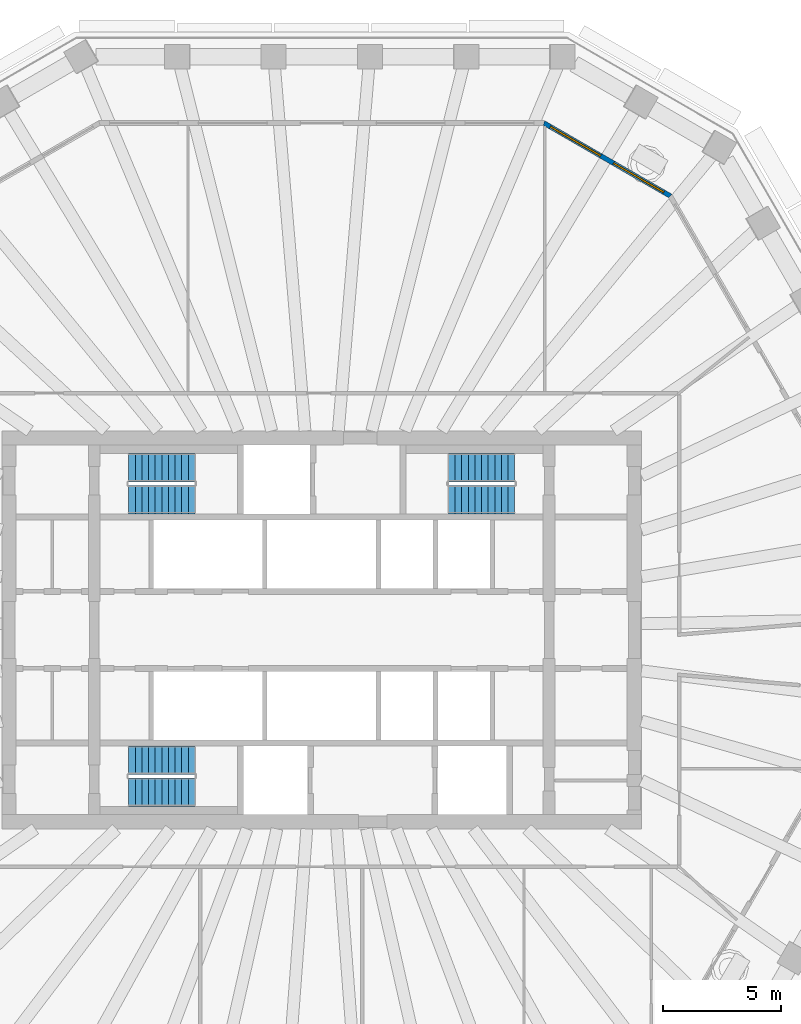
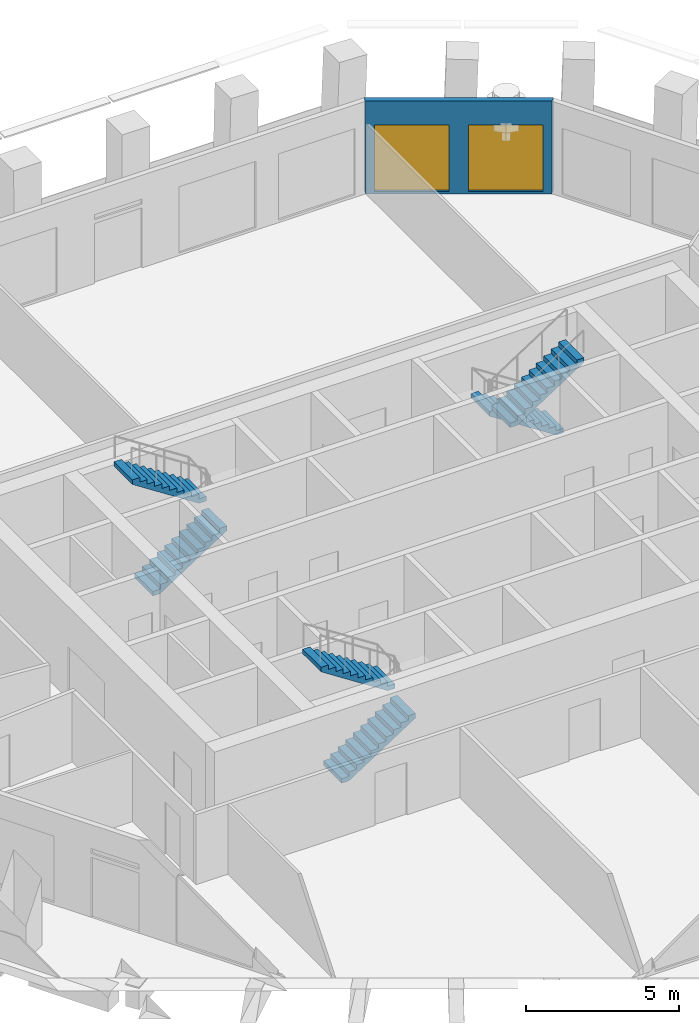
# One storey, part 8 of 12: 6 stair flights, 2 windows, 1 wall, 2 openings, 3 elements without a shape of their own.
"""IFC4 building model written with IfcOpenShell, lengths in metres."""

import ifcopenshell
import ifcopenshell.guid

model = None  # the IFC model being written
_history = None  # IfcOwnerHistory: only IFC2X3 demands one
_inside = {}  # id of a spatial element -> (the spatial element, [elements in it])
_under = {}  # id of a project, library or spatial element -> (it, [spatial elements below it])
_declared = {}  # id of a project -> (the project, [libraries it declares])
_typed = {}  # id of a type object -> (the type object, [elements of that type])
_made_of = {}  # id of a material, layer set ... -> (it, [elements and type objects made of it])


def new_model(schema):
    """Start an empty IFC model of exactly this schema.

    Asked for "IFC4X3", IfcOpenShell would pick the latest addendum, in which some entities
    have other attributes; the version numbers below select the first issue.
    IFC2X3 requires an IfcOwnerHistory on every rooted entity: one is made here for all.
    """
    global model, _history
    if schema == "IFC4X3":
        model = ifcopenshell.file(schema_version=(4, 3, 0, 0))
    else:
        model = ifcopenshell.file(schema=schema)
    _inside.clear()
    _under.clear()
    _declared.clear()
    _typed.clear()
    _made_of.clear()
    _history = None
    if model.schema == "IFC2X3":
        org = make("IfcOrganization", Name="unknown")
        user = make(
            "IfcPersonAndOrganization",
            ThePerson=make("IfcPerson", FamilyName="unknown"),
            TheOrganization=org,
        )
        app = make(
            "IfcApplication",
            ApplicationDeveloper=org,
            Version="unknown",
            ApplicationFullName="unknown",
            ApplicationIdentifier="unknown",
        )
        _history = make(
            "IfcOwnerHistory",
            OwningUser=user,
            OwningApplication=app,
            ChangeAction="ADDED",
            CreationDate=0,
        )
    return model


def make(cls, **values):
    """One entity of the class cls with the attributes given. An attribute that is None is left unset."""
    return model.create_entity(
        cls, **{name: value for name, value in values.items() if value is not None}
    )


def rooted(cls, **values):
    """An entity with a GlobalId (a new one), such as an element, a storey or a relation."""
    return make(cls, GlobalId=ifcopenshell.guid.new(), OwnerHistory=_history, **values)


def si_unit(unit_type, name, prefix=None):
    """IfcSIUnit, for example si_unit("LENGTHUNIT", "METRE", prefix="MILLI")."""
    return make("IfcSIUnit", UnitType=unit_type, Prefix=prefix, Name=name)


def assignment(units):
    """IfcUnitAssignment: the units of a project."""
    return None if units is None else make("IfcUnitAssignment", Units=units)


def point(xyz):
    """IfcCartesianPoint."""
    return None if xyz is None else make("IfcCartesianPoint", Coordinates=xyz)


def direction(xyz):
    """IfcDirection."""
    return None if xyz is None else make("IfcDirection", DirectionRatios=xyz)


def frame(location, z_axis=None, x_axis=None):
    """IfcAxis2Placement3D, a coordinate frame: its origin and axes. An axis left out is left unset."""
    return make(
        "IfcAxis2Placement3D",
        Location=point(location),
        Axis=direction(z_axis),
        RefDirection=direction(x_axis),
    )


def frame_2d(location, x_axis=None):
    """IfcAxis2Placement2D, a coordinate frame in the plane: its origin and x axis."""
    return make(
        "IfcAxis2Placement2D", Location=point(location), RefDirection=direction(x_axis)
    )


def origin():
    """The frame at (0, 0, 0) with its axes left unset."""
    return frame((0.0, 0.0, 0.0))


def place(relative_to, where):
    """IfcLocalPlacement: puts the frame where relative to a parent placement (None: the world)."""
    return make(
        "IfcLocalPlacement", PlacementRelTo=relative_to, RelativePlacement=where
    )


def context(
    kind, dimensions, precision=None, world=None, true_north=None, identifier=None
):
    """IfcGeometricRepresentationContext, for example the 3D "Model" context."""
    return make(
        "IfcGeometricRepresentationContext",
        ContextIdentifier=identifier,
        ContextType=kind,
        CoordinateSpaceDimension=dimensions,
        Precision=precision,
        WorldCoordinateSystem=world,
        TrueNorth=true_north,
    )


def subcontext(parent, identifier, kind, view, scale=None):
    """IfcGeometricRepresentationSubContext, for example "Body" below "Model"."""
    return make(
        "IfcGeometricRepresentationSubContext",
        ContextIdentifier=identifier,
        ContextType=kind,
        ParentContext=parent,
        TargetScale=scale,
        TargetView=view,
    )


def project(units=None, contexts=None):
    """IfcProject with its units and contexts."""
    return rooted(
        "IfcProject",
        Name="project",
        RepresentationContexts=contexts,
        UnitsInContext=assignment(units),
    )


def spatial(cls, under=None, at=None, **own):
    """A site, building, storey or space (cls), placed at a placement, below another one or the project."""
    s = rooted(cls, ObjectPlacement=at, **own)
    if under is not None:
        _under.setdefault(under.id(), (under, []))[1].append(s)
    return s


def polyline(points):
    """IfcPolyline through the points."""
    return make("IfcPolyline", Points=[point(p) for p in points])


def profile(cls, at=None, kind="AREA", **sizes):
    """A parametric profile (cls). Its sizes go by their IFC names, for example OverallWidth=200.0."""
    return make(cls, ProfileType=kind, Position=at, **sizes)


def rectangle(**sizes):
    """IfcRectangleProfileDef."""
    return profile("IfcRectangleProfileDef", **sizes)


def outline(outer, holes=None, kind="AREA"):
    """IfcArbitraryClosedProfileDef: a profile drawn as a closed curve; with holes, ...WithVoids."""
    if holes is None:
        return make("IfcArbitraryClosedProfileDef", ProfileType=kind, OuterCurve=outer)
    return make(
        "IfcArbitraryProfileDefWithVoids",
        ProfileType=kind,
        OuterCurve=outer,
        InnerCurves=holes,
    )


def extrude(swept, where, along, depth):
    """IfcExtrudedAreaSolid: the profile swept, set in the frame where, extruded along a direction by depth."""
    return make(
        "IfcExtrudedAreaSolid",
        SweptArea=swept,
        Position=where,
        ExtrudedDirection=direction(along),
        Depth=depth,
    )


def shape(context_of_items, identifier, shape_type, items):
    """IfcShapeRepresentation: the items that make up one representation, for example the "Body"."""
    return make(
        "IfcShapeRepresentation",
        ContextOfItems=context_of_items,
        RepresentationIdentifier=identifier,
        RepresentationType=shape_type,
        Items=items,
    )


def material(Name=None, Category=None):
    """IfcMaterial."""
    return make("IfcMaterial", Name=Name, Category=Category)


def layer(
    of_material, thickness, ventilated=None, Name=None, Category=None, Priority=None
):
    """IfcMaterialLayer: one layer of a wall or slab, of a material (None: an air gap)."""
    return make(
        "IfcMaterialLayer",
        Material=of_material,
        LayerThickness=thickness,
        IsVentilated=ventilated,
        Name=Name,
        Category=Category,
        Priority=Priority,
    )


def layer_set(layers, Name=None):
    """IfcMaterialLayerSet."""
    return make("IfcMaterialLayerSet", MaterialLayers=layers, LayerSetName=Name)


def made_of(thing, what):
    """Note that an element or type object is made of a material, layer set ...; save() writes the relation."""
    if what is not None:
        _made_of.setdefault(what.id(), (what, []))[1].append(thing)
    return thing


def type_object(cls, material=None, **own):
    """A type object (cls), such as IfcWallType, which elements share."""
    return made_of(rooted(cls, **own), material)


def element(
    cls,
    number,
    at=None,
    inside=None,
    cuts=None,
    type_object=None,
    material=None,
    context=None,
    identifier="Body",
    shape_type=None,
    held_by="IfcProductDefinitionShape",
    body=None,
    shapes=None,
    **own,
):
    """One element of the class cls, such as IfcWall. Its Tag is "e" and its number.

    at: its placement. inside: the storey or other place that contains it. cuts: it is an
    opening in that element (IfcRelVoidsElement). A single representation is given by context,
    identifier, shape_type and body (its items); several are given by shapes. held_by: the class
    of the entity that holds the representations. save() writes the other relations.
    """
    e = rooted(cls, Tag="e%d" % number, ObjectPlacement=at, **own)
    if body is not None:
        shapes = [shape(context, identifier, shape_type, body)]
    if shapes is not None:
        e.Representation = make(held_by, Representations=shapes)
    if inside is not None:
        _inside.setdefault(inside.id(), (inside, []))[1].append(e)
    if cuts is not None:
        rooted(
            "IfcRelVoidsElement", RelatingBuildingElement=cuts, RelatedOpeningElement=e
        )
    if type_object is not None:
        _typed.setdefault(type_object.id(), (type_object, []))[1].append(e)
    return made_of(e, material)


def fill(opening, filler):
    """IfcRelFillsElement: the door or window that sits in an opening."""
    return rooted(
        "IfcRelFillsElement",
        RelatingOpeningElement=opening,
        RelatedBuildingElement=filler,
    )


def aggregate(whole, parts):
    """IfcRelAggregates: a whole, such as a stair, and the parts it consists of."""
    return rooted("IfcRelAggregates", RelatingObject=whole, RelatedObjects=parts)


def save(model, path):
    """Write the relations noted so far, then the file.

    IfcRelAggregates (storeys below a building ...), IfcRelContainedInSpatialStructure (elements
    in a storey), IfcRelDefinesByType, IfcRelAssociatesMaterial and IfcRelDeclares: one each for
    every whole, place, type object, material and project.
    """
    for whole, parts in _under.values():
        aggregate(whole, parts)
    for where, things in _inside.values():
        rooted(
            "IfcRelContainedInSpatialStructure",
            RelatedElements=things,
            RelatingStructure=where,
        )
    for kind, things in _typed.values():
        rooted("IfcRelDefinesByType", RelatedObjects=things, RelatingType=kind)
    for what, things in _made_of.values():
        rooted("IfcRelAssociatesMaterial", RelatedObjects=things, RelatingMaterial=what)
    for by, libraries in _declared.values():
        rooted("IfcRelDeclares", RelatingContext=by, RelatedDefinitions=libraries)
    model.write(path)


model = new_model("IFC4")

# Units and contexts
model_context = context("Model", 3, precision=1e-05, world=origin(), true_north=direction((0.0, 1.0)))
body_context = subcontext(model_context, "Body", "Model", "MODEL_VIEW")
ifc_project = project(units=[si_unit("LENGTHUNIT", "METRE"), si_unit("AREAUNIT", "SQUARE_METRE"), si_unit("VOLUMEUNIT", "CUBIC_METRE"), si_unit("PLANEANGLEUNIT", "RADIAN"), si_unit("MASSUNIT", "GRAM", prefix="KILO")], contexts=[model_context])

# Site, building, storey
site_placement = place(None, origin())
site = spatial("IfcSite", under=ifc_project, at=site_placement, CompositionType="ELEMENT")
building_placement = place(site_placement, origin())
building = spatial("IfcBuilding", under=site, at=building_placement, Name="Frailejon Research Tower", CompositionType="ELEMENT")
storey_placement = place(building_placement, frame((0.0, 0.0, 227.39990234375)))
storey = spatial("IfcBuildingStorey", under=building, at=storey_placement, Name="L49", CompositionType="ELEMENT", Elevation=227.39990234375)

# Wall, openings, windows
ifc_material_1 = material(Name="Concrete C40/50 precast window wall panel", Category="concrete")
ifc_layer_1 = layer(ifc_material_1, 0.199951171875)
ifc_layer_set_1 = layer_set([ifc_layer_1], Name="Window wall 200")
wall_type = type_object("IfcWallType", Name="Window wall 200", PredefinedType="SOLIDWALL", material=ifc_layer_set_1)
wall_placement = place(storey_placement, frame((14.712158203125, 18.323486328125, 0.0), z_axis=(0.0, 0.0, 1.0), x_axis=(-0.866029647142, 0.499992650217, 0.0)))
wall = element("IfcWall", 1, at=wall_placement, inside=storey, type_object=wall_type, Name="Exterior wall L49", PredefinedType="SOLIDWALL", context=body_context, shape_type="SweptSolid", body=[
    extrude(outline(polyline([(-0.02685546875, -0.10009765625), (1.007568359375, -0.10009765625), (2.0419921875, -0.10009765625), (3.076416015625, -0.10009765625), (4.11083984375, -0.10009765625), (5.145263671875, -0.10009765625), (6.1796875, -0.10009765625), (6.1259765625, 0.10009765625), (5.109375, 0.10009765625), (4.093017578125, 0.10009765625), (3.076416015625, 0.10009765625), (2.059814453125, 0.10009765625), (1.04345703125, 0.10009765625), (0.02685546875, 0.10009765625), (-0.02685546875, -0.10009765625)])), origin(), (0.0, 0.0, 1.0), 3.7001953125),
])
opening_1_placement = place(wall_placement, frame((0.313232421875, 0.0, 0.10009765625)))
opening_1 = element("IfcOpeningElement", 2, at=opening_1_placement, cuts=wall, Name="Opening W17", PredefinedType="OPENING", context=body_context, shape_type="SweptSolid", body=[
    extrude(rectangle(XDim=2.449951171875, YDim=2.64990234375, at=frame_2d((1.22509765625, 1.324951171875))), frame((0.0, 0.10986328125, 0.0), z_axis=(0.0, -1.0, 0.0), x_axis=(1.0, 0.0, 0.0)), (0.0, 0.0, 1.0), 0.219970703125),
])
opening_2_placement = place(wall_placement, frame((3.3896484375, 0.0, 0.10009765625)))
opening_2 = element("IfcOpeningElement", 3, at=opening_2_placement, cuts=wall, Name="Opening W17", PredefinedType="OPENING", context=body_context, shape_type="SweptSolid", body=[
    extrude(rectangle(XDim=2.449951171875, YDim=2.64990234375, at=frame_2d((1.22509765625, 1.324951171875))), frame((0.0, 0.10986328125, 0.0), z_axis=(0.0, -1.0, 0.0), x_axis=(1.0, 0.0, 0.0)), (0.0, 0.0, 1.0), 0.219970703125),
])
ifc_material_2 = material(Name="Aluminium framed double glazing", Category="aluminium")
window_type = type_object("IfcWindowType", Name="Window 2450x2650", PartitioningType="SINGLE_PANEL", PredefinedType="WINDOW", material=ifc_material_2)
window_1_placement = place(opening_1_placement, origin())
window_1 = element("IfcWindow", 4, at=window_1_placement, inside=storey, type_object=window_type, Name="Window L49", OverallHeight=2.64990234375, OverallWidth=2.449951171875, PartitioningType="SINGLE_PANEL", PredefinedType="WINDOW", context=body_context, shape_type="SweptSolid", body=[
    extrude(rectangle(XDim=2.449951171875, YDim=2.64990234375, at=frame_2d((1.22509765625, 1.324951171875))), frame((0.0, 0.030029296875, 0.0), z_axis=(0.0, -1.0, 0.0), x_axis=(1.0, 0.0, 0.0)), (0.0, 0.0, 1.0), 0.06005859375),
])
fill(opening_1, window_1)
window_2_placement = place(opening_2_placement, origin())
window_2 = element("IfcWindow", 5, at=window_2_placement, inside=storey, type_object=window_type, Name="Window L49", OverallHeight=2.64990234375, OverallWidth=2.449951171875, PartitioningType="SINGLE_PANEL", PredefinedType="WINDOW", context=body_context, shape_type="SweptSolid", body=[
    extrude(rectangle(XDim=2.449951171875, YDim=2.64990234375, at=frame_2d((1.22509765625, 1.324951171875))), frame((0.0, 0.030029296875, 0.0), z_axis=(0.0, -1.0, 0.0), x_axis=(1.0, 0.0, 0.0)), (0.0, 0.0, 1.0), 0.06005859375),
])
fill(opening_2, window_2)

# Stair, stair flights
ifc_material_3 = material(Name="Concrete C50/60", Category="concrete")
stair_type = type_object("IfcStairType", Name="Exit stair 22 risers", PredefinedType="HALF_TURN_STAIR", material=ifc_material_3)
stair_1_placement = place(storey_placement, origin())
stair_1 = element("IfcStair", 6, at=stair_1_placement, inside=storey, type_object=stair_type, Name="L49 Exit stair ST1", PredefinedType="HALF_TURN_STAIR")
ifc_material_4 = material(Name="Concrete C50/60", Category="concrete")
ifc_layer_2 = layer(ifc_material_4, 0.14990234375)
ifc_layer_set_2 = layer_set([ifc_layer_2], Name="Stair flight 11 risers")
stair_flight_type = type_object("IfcStairFlightType", Name="Stair flight 11 risers", PredefinedType="STRAIGHT", material=ifc_layer_set_2)
stair_flight_1_placement = place(storey_placement, frame((-8.14990234375, 5.5, 0.0), z_axis=(0.0, 0.0, 1.0), x_axis=(1.0, 0.0, 0.0)))
stair_flight_1 = element("IfcStairFlight", 7, at=stair_flight_1_placement, type_object=stair_flight_type, Name="ST1 flight 1", NumberOfRisers=11, NumberOfTreads=10, PredefinedType="STRAIGHT", RiserHeight=0.181818182, TreadLength=0.28, context=body_context, shape_type="SweptSolid", body=[
    extrude(outline(polyline([(0.0, 0.0), (0.0, 0.181884765625), (0.280029296875, 0.181884765625), (0.280029296875, 0.363525390625), (0.56005859375, 0.363525390625), (0.56005859375, 0.54541015625), (0.840087890625, 0.54541015625), (0.840087890625, 0.727294921875), (1.1201171875, 0.727294921875), (1.1201171875, 0.9091796875), (1.39990234375, 0.9091796875), (1.39990234375, 1.0908203125), (1.679931640625, 1.0908203125), (1.679931640625, 1.272705078125), (1.9599609375, 1.272705078125), (1.9599609375, 1.45458984375), (2.239990234375, 1.45458984375), (2.239990234375, 1.636474609375), (2.52001953125, 1.636474609375), (2.52001953125, 1.818115234375), (2.800048828125, 1.818115234375), (2.800048828125, 2.0), (2.800048828125, 1.639404296875), (0.275146484375, 0.0), (0.0, 0.0)])), frame((0.0, 0.60009765625, 0.0), z_axis=(0.0, -1.0, 0.0), x_axis=(1.0, 0.0, 0.0)), (0.0, 0.0, 1.0), 1.199951171875),
])
stair_flight_2_placement = place(storey_placement, frame((-5.35009765625, 6.85009765625, 2.0), z_axis=(0.0, 0.0, 1.0), x_axis=(-1.0, 0.0, 0.0)))
stair_flight_2 = element("IfcStairFlight", 8, at=stair_flight_2_placement, type_object=stair_flight_type, Name="ST1 flight 2", NumberOfRisers=11, NumberOfTreads=10, PredefinedType="STRAIGHT", RiserHeight=0.181818182, TreadLength=0.28, context=body_context, shape_type="SweptSolid", body=[
    extrude(outline(polyline([(0.0, 0.0), (0.0, 0.181884765625), (0.280029296875, 0.181884765625), (0.280029296875, 0.363525390625), (0.56005859375, 0.363525390625), (0.56005859375, 0.54541015625), (0.840087890625, 0.54541015625), (0.840087890625, 0.727294921875), (1.1201171875, 0.727294921875), (1.1201171875, 0.9091796875), (1.39990234375, 0.9091796875), (1.39990234375, 1.0908203125), (1.679931640625, 1.0908203125), (1.679931640625, 1.272705078125), (1.9599609375, 1.272705078125), (1.9599609375, 1.45458984375), (2.239990234375, 1.45458984375), (2.239990234375, 1.636474609375), (2.52001953125, 1.636474609375), (2.52001953125, 1.818115234375), (2.800048828125, 1.818115234375), (2.800048828125, 2.0), (2.800048828125, 1.639404296875), (0.275146484375, 0.0), (0.0, 0.0)])), frame((0.0, 0.60009765625, 0.0), z_axis=(0.0, -1.0, 0.0), x_axis=(1.0, 0.0, 0.0)), (0.0, 0.0, 1.0), 1.199951171875),
])
aggregate(stair_1, [stair_flight_1, stair_flight_2])

stair_2_placement = place(storey_placement, origin())
stair_2 = element("IfcStair", 9, at=stair_2_placement, inside=storey, type_object=stair_type, Name="L49 Exit stair ST2", PredefinedType="HALF_TURN_STAIR")
stair_flight_3_placement = place(storey_placement, frame((-8.14990234375, -6.85009765625, 0.0), z_axis=(0.0, 0.0, 1.0), x_axis=(1.0, 0.0, 0.0)))
stair_flight_3 = element("IfcStairFlight", 10, at=stair_flight_3_placement, type_object=stair_flight_type, Name="ST2 flight 1", NumberOfRisers=11, NumberOfTreads=10, PredefinedType="STRAIGHT", RiserHeight=0.181818182, TreadLength=0.28, context=body_context, shape_type="SweptSolid", body=[
    extrude(outline(polyline([(0.0, 0.0), (0.0, 0.181884765625), (0.280029296875, 0.181884765625), (0.280029296875, 0.363525390625), (0.56005859375, 0.363525390625), (0.56005859375, 0.54541015625), (0.840087890625, 0.54541015625), (0.840087890625, 0.727294921875), (1.1201171875, 0.727294921875), (1.1201171875, 0.9091796875), (1.39990234375, 0.9091796875), (1.39990234375, 1.0908203125), (1.679931640625, 1.0908203125), (1.679931640625, 1.272705078125), (1.9599609375, 1.272705078125), (1.9599609375, 1.45458984375), (2.239990234375, 1.45458984375), (2.239990234375, 1.636474609375), (2.52001953125, 1.636474609375), (2.52001953125, 1.818115234375), (2.800048828125, 1.818115234375), (2.800048828125, 2.0), (2.800048828125, 1.639404296875), (0.275146484375, 0.0), (0.0, 0.0)])), frame((0.0, 0.60009765625, 0.0), z_axis=(0.0, -1.0, 0.0), x_axis=(1.0, 0.0, 0.0)), (0.0, 0.0, 1.0), 1.199951171875),
])
stair_flight_4_placement = place(storey_placement, frame((-5.35009765625, -5.5, 2.0), z_axis=(0.0, 0.0, 1.0), x_axis=(-1.0, 0.0, 0.0)))
stair_flight_4 = element("IfcStairFlight", 11, at=stair_flight_4_placement, type_object=stair_flight_type, Name="ST2 flight 2", NumberOfRisers=11, NumberOfTreads=10, PredefinedType="STRAIGHT", RiserHeight=0.181818182, TreadLength=0.28, context=body_context, shape_type="SweptSolid", body=[
    extrude(outline(polyline([(0.0, 0.0), (0.0, 0.181884765625), (0.280029296875, 0.181884765625), (0.280029296875, 0.363525390625), (0.56005859375, 0.363525390625), (0.56005859375, 0.54541015625), (0.840087890625, 0.54541015625), (0.840087890625, 0.727294921875), (1.1201171875, 0.727294921875), (1.1201171875, 0.9091796875), (1.39990234375, 0.9091796875), (1.39990234375, 1.0908203125), (1.679931640625, 1.0908203125), (1.679931640625, 1.272705078125), (1.9599609375, 1.272705078125), (1.9599609375, 1.45458984375), (2.239990234375, 1.45458984375), (2.239990234375, 1.636474609375), (2.52001953125, 1.636474609375), (2.52001953125, 1.818115234375), (2.800048828125, 1.818115234375), (2.800048828125, 2.0), (2.800048828125, 1.639404296875), (0.275146484375, 0.0), (0.0, 0.0)])), frame((0.0, 0.60009765625, 0.0), z_axis=(0.0, -1.0, 0.0), x_axis=(1.0, 0.0, 0.0)), (0.0, 0.0, 1.0), 1.199951171875),
])
aggregate(stair_2, [stair_flight_3, stair_flight_4])

stair_3_placement = place(storey_placement, origin())
stair_3 = element("IfcStair", 12, at=stair_3_placement, inside=storey, type_object=stair_type, Name="L49 Exit stair ST3", PredefinedType="HALF_TURN_STAIR")
stair_flight_5_placement = place(storey_placement, frame((8.14990234375, 6.85009765625, 0.0), z_axis=(0.0, 0.0, 1.0), x_axis=(-1.0, 0.0, 0.0)))
stair_flight_5 = element("IfcStairFlight", 13, at=stair_flight_5_placement, type_object=stair_flight_type, Name="ST3 flight 1", NumberOfRisers=11, NumberOfTreads=10, PredefinedType="STRAIGHT", RiserHeight=0.181818182, TreadLength=0.28, context=body_context, shape_type="SweptSolid", body=[
    extrude(outline(polyline([(0.0, 0.0), (0.0, 0.181884765625), (0.280029296875, 0.181884765625), (0.280029296875, 0.363525390625), (0.56005859375, 0.363525390625), (0.56005859375, 0.54541015625), (0.840087890625, 0.54541015625), (0.840087890625, 0.727294921875), (1.1201171875, 0.727294921875), (1.1201171875, 0.9091796875), (1.39990234375, 0.9091796875), (1.39990234375, 1.0908203125), (1.679931640625, 1.0908203125), (1.679931640625, 1.272705078125), (1.9599609375, 1.272705078125), (1.9599609375, 1.45458984375), (2.239990234375, 1.45458984375), (2.239990234375, 1.636474609375), (2.52001953125, 1.636474609375), (2.52001953125, 1.818115234375), (2.800048828125, 1.818115234375), (2.800048828125, 2.0), (2.800048828125, 1.639404296875), (0.275146484375, 0.0), (0.0, 0.0)])), frame((0.0, 0.60009765625, 0.0), z_axis=(0.0, -1.0, 0.0), x_axis=(1.0, 0.0, 0.0)), (0.0, 0.0, 1.0), 1.199951171875),
])
stair_flight_6_placement = place(storey_placement, frame((5.35009765625, 5.5, 2.0), z_axis=(0.0, 0.0, 1.0), x_axis=(1.0, 0.0, 0.0)))
stair_flight_6 = element("IfcStairFlight", 14, at=stair_flight_6_placement, type_object=stair_flight_type, Name="ST3 flight 2", NumberOfRisers=11, NumberOfTreads=10, PredefinedType="STRAIGHT", RiserHeight=0.181818182, TreadLength=0.28, context=body_context, shape_type="SweptSolid", body=[
    extrude(outline(polyline([(0.0, 0.0), (0.0, 0.181884765625), (0.280029296875, 0.181884765625), (0.280029296875, 0.363525390625), (0.56005859375, 0.363525390625), (0.56005859375, 0.54541015625), (0.840087890625, 0.54541015625), (0.840087890625, 0.727294921875), (1.1201171875, 0.727294921875), (1.1201171875, 0.9091796875), (1.39990234375, 0.9091796875), (1.39990234375, 1.0908203125), (1.679931640625, 1.0908203125), (1.679931640625, 1.272705078125), (1.9599609375, 1.272705078125), (1.9599609375, 1.45458984375), (2.239990234375, 1.45458984375), (2.239990234375, 1.636474609375), (2.52001953125, 1.636474609375), (2.52001953125, 1.818115234375), (2.800048828125, 1.818115234375), (2.800048828125, 2.0), (2.800048828125, 1.639404296875), (0.275146484375, 0.0), (0.0, 0.0)])), frame((0.0, 0.60009765625, 0.0), z_axis=(0.0, -1.0, 0.0), x_axis=(1.0, 0.0, 0.0)), (0.0, 0.0, 1.0), 1.199951171875),
])
aggregate(stair_3, [stair_flight_5, stair_flight_6])

save(model, "model.ifc")
